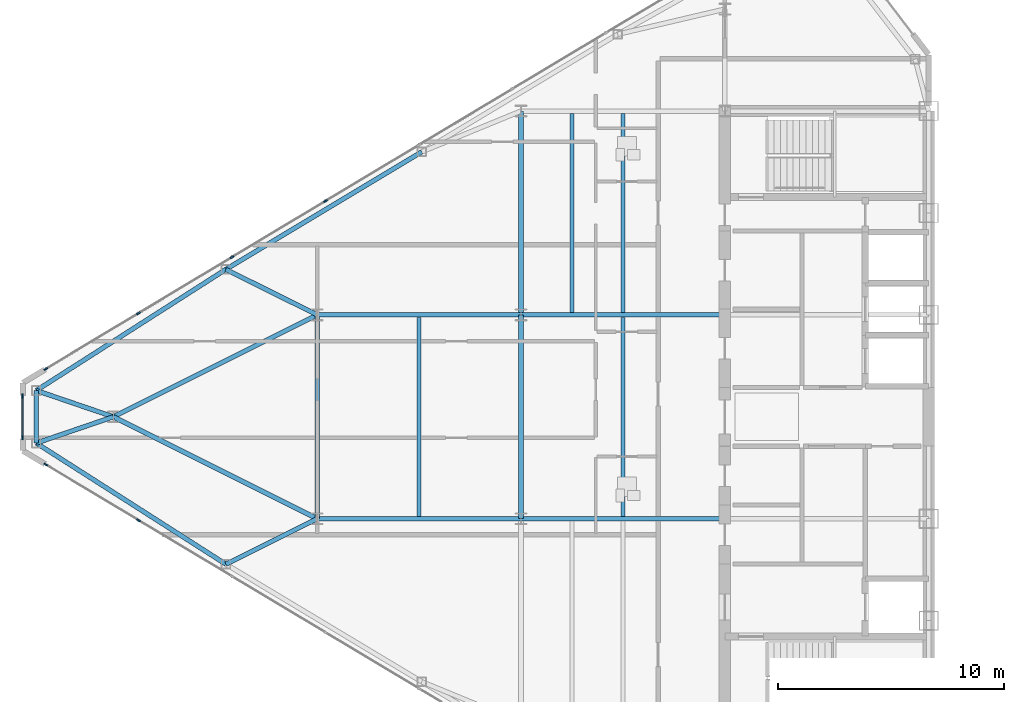
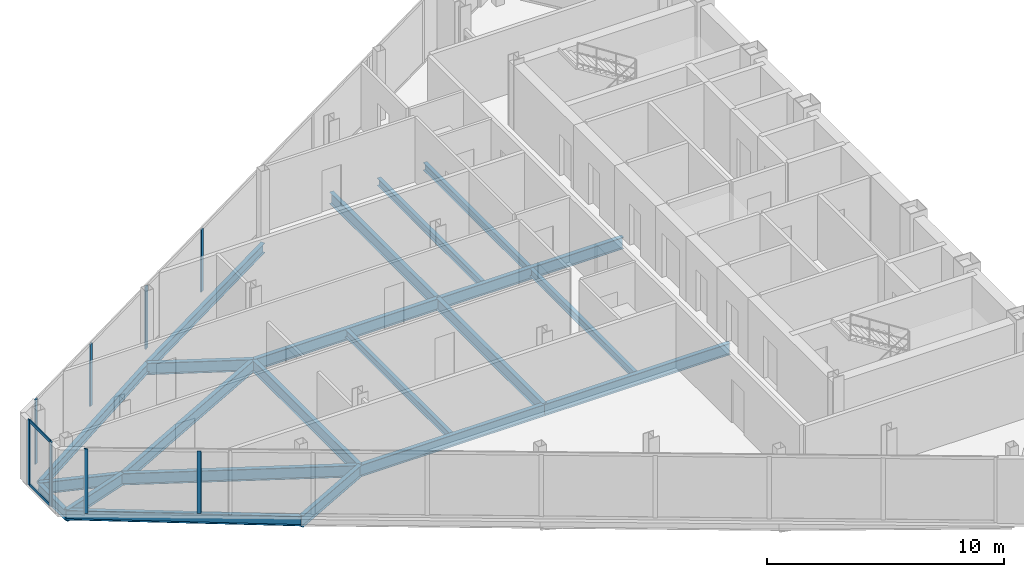
# One storey, part 7 of 26: 21 beams, 10 members, 3 elements without a shape of their own.
"""IFC4 building model written with IfcOpenShell, lengths in metres."""

import ifcopenshell
import ifcopenshell.guid

model = None  # the IFC model being written
_history = None  # IfcOwnerHistory: only IFC2X3 demands one
_inside = {}  # id of a spatial element -> (the spatial element, [elements in it])
_under = {}  # id of a project, library or spatial element -> (it, [spatial elements below it])
_declared = {}  # id of a project -> (the project, [libraries it declares])
_typed = {}  # id of a type object -> (the type object, [elements of that type])
_made_of = {}  # id of a material, layer set ... -> (it, [elements and type objects made of it])


def new_model(schema):
    """Start an empty IFC model of exactly this schema.

    Asked for "IFC4X3", IfcOpenShell would pick the latest addendum, in which some entities
    have other attributes; the version numbers below select the first issue.
    IFC2X3 requires an IfcOwnerHistory on every rooted entity: one is made here for all.
    """
    global model, _history
    if schema == "IFC4X3":
        model = ifcopenshell.file(schema_version=(4, 3, 0, 0))
    else:
        model = ifcopenshell.file(schema=schema)
    _inside.clear()
    _under.clear()
    _declared.clear()
    _typed.clear()
    _made_of.clear()
    _history = None
    if model.schema == "IFC2X3":
        org = make("IfcOrganization", Name="unknown")
        user = make(
            "IfcPersonAndOrganization",
            ThePerson=make("IfcPerson", FamilyName="unknown"),
            TheOrganization=org,
        )
        app = make(
            "IfcApplication",
            ApplicationDeveloper=org,
            Version="unknown",
            ApplicationFullName="unknown",
            ApplicationIdentifier="unknown",
        )
        _history = make(
            "IfcOwnerHistory",
            OwningUser=user,
            OwningApplication=app,
            ChangeAction="ADDED",
            CreationDate=0,
        )
    return model


def make(cls, **values):
    """One entity of the class cls with the attributes given. An attribute that is None is left unset."""
    return model.create_entity(
        cls, **{name: value for name, value in values.items() if value is not None}
    )


def rooted(cls, **values):
    """An entity with a GlobalId (a new one), such as an element, a storey or a relation."""
    return make(cls, GlobalId=ifcopenshell.guid.new(), OwnerHistory=_history, **values)


def si_unit(unit_type, name, prefix=None):
    """IfcSIUnit, for example si_unit("LENGTHUNIT", "METRE", prefix="MILLI")."""
    return make("IfcSIUnit", UnitType=unit_type, Prefix=prefix, Name=name)


def assignment(units):
    """IfcUnitAssignment: the units of a project."""
    return None if units is None else make("IfcUnitAssignment", Units=units)


def point(xyz):
    """IfcCartesianPoint."""
    return None if xyz is None else make("IfcCartesianPoint", Coordinates=xyz)


def direction(xyz):
    """IfcDirection."""
    return None if xyz is None else make("IfcDirection", DirectionRatios=xyz)


def frame(location, z_axis=None, x_axis=None):
    """IfcAxis2Placement3D, a coordinate frame: its origin and axes. An axis left out is left unset."""
    return make(
        "IfcAxis2Placement3D",
        Location=point(location),
        Axis=direction(z_axis),
        RefDirection=direction(x_axis),
    )


def frame_2d(location, x_axis=None):
    """IfcAxis2Placement2D, a coordinate frame in the plane: its origin and x axis."""
    return make(
        "IfcAxis2Placement2D", Location=point(location), RefDirection=direction(x_axis)
    )


def origin():
    """The frame at (0, 0, 0) with its axes left unset."""
    return frame((0.0, 0.0, 0.0))


def origin_2d():
    """The frame at (0, 0) in the plane with its x axis left unset."""
    return frame_2d((0.0, 0.0))


def place(relative_to, where):
    """IfcLocalPlacement: puts the frame where relative to a parent placement (None: the world)."""
    return make(
        "IfcLocalPlacement", PlacementRelTo=relative_to, RelativePlacement=where
    )


def context(
    kind, dimensions, precision=None, world=None, true_north=None, identifier=None
):
    """IfcGeometricRepresentationContext, for example the 3D "Model" context."""
    return make(
        "IfcGeometricRepresentationContext",
        ContextIdentifier=identifier,
        ContextType=kind,
        CoordinateSpaceDimension=dimensions,
        Precision=precision,
        WorldCoordinateSystem=world,
        TrueNorth=true_north,
    )


def subcontext(parent, identifier, kind, view, scale=None):
    """IfcGeometricRepresentationSubContext, for example "Body" below "Model"."""
    return make(
        "IfcGeometricRepresentationSubContext",
        ContextIdentifier=identifier,
        ContextType=kind,
        ParentContext=parent,
        TargetScale=scale,
        TargetView=view,
    )


def project(units=None, contexts=None):
    """IfcProject with its units and contexts."""
    return rooted(
        "IfcProject",
        Name="project",
        RepresentationContexts=contexts,
        UnitsInContext=assignment(units),
    )


def spatial(cls, under=None, at=None, **own):
    """A site, building, storey or space (cls), placed at a placement, below another one or the project."""
    s = rooted(cls, ObjectPlacement=at, **own)
    if under is not None:
        _under.setdefault(under.id(), (under, []))[1].append(s)
    return s


def profile(cls, at=None, kind="AREA", **sizes):
    """A parametric profile (cls). Its sizes go by their IFC names, for example OverallWidth=200.0."""
    return make(cls, ProfileType=kind, Position=at, **sizes)


def rectangle(**sizes):
    """IfcRectangleProfileDef."""
    return profile("IfcRectangleProfileDef", **sizes)


def i_section(**sizes):
    """IfcIShapeProfileDef."""
    return profile("IfcIShapeProfileDef", **sizes)


def extrude(swept, where, along, depth):
    """IfcExtrudedAreaSolid: the profile swept, set in the frame where, extruded along a direction by depth."""
    return make(
        "IfcExtrudedAreaSolid",
        SweptArea=swept,
        Position=where,
        ExtrudedDirection=direction(along),
        Depth=depth,
    )


def shape(context_of_items, identifier, shape_type, items):
    """IfcShapeRepresentation: the items that make up one representation, for example the "Body"."""
    return make(
        "IfcShapeRepresentation",
        ContextOfItems=context_of_items,
        RepresentationIdentifier=identifier,
        RepresentationType=shape_type,
        Items=items,
    )


def source(mapping_origin, context_of_items, identifier, shape_type, items):
    """IfcRepresentationMap: a shape defined once, which mapped items show again and again."""
    return make(
        "IfcRepresentationMap",
        MappingOrigin=mapping_origin,
        MappedRepresentation=shape(context_of_items, identifier, shape_type, items),
    )


def transform(
    local_origin,
    x_axis=None,
    y_axis=None,
    z_axis=None,
    scale=None,
    scale2=None,
    scale3=None,
    uniform=True,
):
    """IfcCartesianTransformationOperator3D, or its non-uniform kind. x_axis, y_axis, z_axis: its Axis1, 2, 3."""
    if uniform:
        return make(
            "IfcCartesianTransformationOperator3D",
            Axis1=direction(x_axis),
            Axis2=direction(y_axis),
            LocalOrigin=point(local_origin),
            Scale=scale,
            Axis3=direction(z_axis),
        )
    return make(
        "IfcCartesianTransformationOperator3DnonUniform",
        Axis1=direction(x_axis),
        Axis2=direction(y_axis),
        LocalOrigin=point(local_origin),
        Scale=scale,
        Axis3=direction(z_axis),
        Scale2=scale2,
        Scale3=scale3,
    )


def mapped(mapping_source, mapping_target):
    """IfcMappedItem: shows the shape of a source again, moved by a transform."""
    return make(
        "IfcMappedItem", MappingSource=mapping_source, MappingTarget=mapping_target
    )


def material(Name=None, Category=None):
    """IfcMaterial."""
    return make("IfcMaterial", Name=Name, Category=Category)


def layer(
    of_material, thickness, ventilated=None, Name=None, Category=None, Priority=None
):
    """IfcMaterialLayer: one layer of a wall or slab, of a material (None: an air gap)."""
    return make(
        "IfcMaterialLayer",
        Material=of_material,
        LayerThickness=thickness,
        IsVentilated=ventilated,
        Name=Name,
        Category=Category,
        Priority=Priority,
    )


def layer_set(layers, Name=None):
    """IfcMaterialLayerSet."""
    return make("IfcMaterialLayerSet", MaterialLayers=layers, LayerSetName=Name)


def material_profile(
    of_material, cross_section, Name=None, Category=None, Priority=None
):
    """IfcMaterialProfile: a cross section and its material."""
    return make(
        "IfcMaterialProfile",
        Name=Name,
        Material=of_material,
        Profile=cross_section,
        Priority=Priority,
        Category=Category,
    )


def profile_set(profiles, Name=None, composite=None):
    """IfcMaterialProfileSet."""
    return make(
        "IfcMaterialProfileSet",
        Name=Name,
        MaterialProfiles=profiles,
        CompositeProfile=composite,
    )


def made_of(thing, what):
    """Note that an element or type object is made of a material, layer set ...; save() writes the relation."""
    if what is not None:
        _made_of.setdefault(what.id(), (what, []))[1].append(thing)
    return thing


def type_object(cls, material=None, **own):
    """A type object (cls), such as IfcWallType, which elements share."""
    return made_of(rooted(cls, **own), material)


def type_shapes(of_type, sources):
    """Give a type object the sources (RepresentationMaps) that its elements show as mapped items."""
    of_type.RepresentationMaps = sources


def element(
    cls,
    number,
    at=None,
    inside=None,
    cuts=None,
    type_object=None,
    material=None,
    context=None,
    identifier="Body",
    shape_type=None,
    held_by="IfcProductDefinitionShape",
    body=None,
    shapes=None,
    **own,
):
    """One element of the class cls, such as IfcWall. Its Tag is "e" and its number.

    at: its placement. inside: the storey or other place that contains it. cuts: it is an
    opening in that element (IfcRelVoidsElement). A single representation is given by context,
    identifier, shape_type and body (its items); several are given by shapes. held_by: the class
    of the entity that holds the representations. save() writes the other relations.
    """
    e = rooted(cls, Tag="e%d" % number, ObjectPlacement=at, **own)
    if body is not None:
        shapes = [shape(context, identifier, shape_type, body)]
    if shapes is not None:
        e.Representation = make(held_by, Representations=shapes)
    if inside is not None:
        _inside.setdefault(inside.id(), (inside, []))[1].append(e)
    if cuts is not None:
        rooted(
            "IfcRelVoidsElement", RelatingBuildingElement=cuts, RelatedOpeningElement=e
        )
    if type_object is not None:
        _typed.setdefault(type_object.id(), (type_object, []))[1].append(e)
    return made_of(e, material)


def aggregate(whole, parts):
    """IfcRelAggregates: a whole, such as a stair, and the parts it consists of."""
    return rooted("IfcRelAggregates", RelatingObject=whole, RelatedObjects=parts)


def save(model, path):
    """Write the relations noted so far, then the file.

    IfcRelAggregates (storeys below a building ...), IfcRelContainedInSpatialStructure (elements
    in a storey), IfcRelDefinesByType, IfcRelAssociatesMaterial and IfcRelDeclares: one each for
    every whole, place, type object, material and project.
    """
    for whole, parts in _under.values():
        aggregate(whole, parts)
    for where, things in _inside.values():
        rooted(
            "IfcRelContainedInSpatialStructure",
            RelatedElements=things,
            RelatingStructure=where,
        )
    for kind, things in _typed.values():
        rooted("IfcRelDefinesByType", RelatedObjects=things, RelatingType=kind)
    for what, things in _made_of.values():
        rooted("IfcRelAssociatesMaterial", RelatedObjects=things, RelatingMaterial=what)
    for by, libraries in _declared.values():
        rooted("IfcRelDeclares", RelatingContext=by, RelatedDefinitions=libraries)
    model.write(path)


model = new_model("IFC4")

# Units and contexts
model_context = context("Model", 3, precision=1e-05, world=origin(), true_north=direction((0.0, 1.0)))
body_context = subcontext(model_context, "Body", "Model", "MODEL_VIEW")
ifc_project = project(units=[si_unit("LENGTHUNIT", "METRE"), si_unit("AREAUNIT", "SQUARE_METRE"), si_unit("VOLUMEUNIT", "CUBIC_METRE"), si_unit("PLANEANGLEUNIT", "RADIAN"), si_unit("MASSUNIT", "GRAM", prefix="KILO")], contexts=[model_context])

# Site, building, storey
site_placement = place(None, origin())
site = spatial("IfcSite", under=ifc_project, at=site_placement, CompositionType="ELEMENT")
building_placement = place(site_placement, origin())
building = spatial("IfcBuilding", under=site, at=building_placement, Name="Seokmaru Belvedere", CompositionType="ELEMENT")
storey_placement = place(building_placement, frame((0.0, 0.0, 221.10009765625)))
storey = spatial("IfcBuildingStorey", under=building, at=storey_placement, Name="L59", CompositionType="ELEMENT", Elevation=221.10009765625)

# Beams
ifc_material_1 = material(Name="Steel SM355 (355 MPa)", Category="steel")
ifc_material_profile_1 = material_profile(ifc_material_1, i_section(OverallWidth=0.199951171875, OverallDepth=0.60009765625, WebThickness=0.010986328125, FlangeThickness=0.01708984375, at=origin_2d()), Name="H-600x200x11x17")
ifc_profile_set_1 = profile_set([ifc_material_profile_1], Name="Steel SM355 (355 MPa)")
beam_type_1 = type_object("IfcBeamType", Name="Primary Floor Girder H-600", PredefinedType="BEAM", material=ifc_profile_set_1)
shared_shape_1 = source(origin(), body_context, "Body", "SweptSolid", [
    extrude(i_section(OverallWidth=0.199951171875, OverallDepth=0.60009765625, WebThickness=0.010986328125, FlangeThickness=0.01708984375, at=origin_2d()), origin(), (0.0, 0.0, 1.0), 9.0),
])
for number, where, z_axis, x_axis, name in (
    (1, (-45.5, -4.5, -0.52001953125), (0.0, 1.0, 0.0), (-1.0, 0.0, 0.0), "L59 W Interior Grid Girder 2"),
    (2, (-45.5, 4.5, -0.52001953125), (0.0, 1.0, 0.0), (-1.0, 0.0, 0.0), "L59 W Interior Grid Girder 3"),
    (3, (-45.5, -4.5, -0.52001953125), (1.0, 0.0, 0.0), (0.0, 1.0, 0.0), "L59 W Wing Primary Girder 2"),
    (4, (-45.5, 4.5, -0.52001953125), (1.0, 0.0, 0.0), (0.0, 1.0, 0.0), "L59 W Wing Primary Girder 3"),
    (5, (-54.5, -4.5, -0.52001953125), (1.0, 0.0, 0.0), (0.0, 1.0, 0.0), "L59 W Outer Wing Girder 1"),
    (6, (-54.5, 4.5, -0.52001953125), (1.0, 0.0, 0.0), (0.0, 1.0, 0.0), "L59 W Outer Wing Girder 2"),
    (7, (-54.5, -4.5, -0.52001953125), (0.0, 1.0, 0.0), (-1.0, 0.0, 0.0), "L59 W Apex Frame Girder"),
):
    element("IfcBeam", number, at=place(storey_placement, frame(where, z_axis=z_axis, x_axis=x_axis)), inside=storey, type_object=beam_type_1, Name=name, PredefinedType="BEAM", context=body_context, shape_type="MappedRepresentation", body=[
        mapped(shared_shape_1, transform((0.0, 0.0, 0.0), scale=1.0)),
    ])
shared_shape_2 = source(origin(), body_context, "Body", "SweptSolid", [
    extrude(i_section(OverallWidth=0.199951171875, OverallDepth=0.60009765625, WebThickness=0.010986328125, FlangeThickness=0.01708984375, at=origin_2d()), origin(), (0.0, 0.0, 1.0), 10.062255859375),
])
for number, where, z_axis, x_axis, name in (
    (8, (-54.5, -4.5, -0.52001953125), (-0.894427191, 0.4472135955, 0.0), (-0.4472135955, -0.894427191, 0.0), "L59 W Apex Converging Girder 1"),
    (9, (-54.5, 4.5, -0.52001953125), (-0.894427191, -0.4472135955, 0.0), (0.4472135955, -0.894427191, 0.0), "L59 W Apex Converging Girder 2"),
):
    element("IfcBeam", number, at=place(storey_placement, frame(where, z_axis=z_axis, x_axis=x_axis)), inside=storey, type_object=beam_type_1, Name=name, PredefinedType="BEAM", context=body_context, shape_type="MappedRepresentation", body=[
        mapped(shared_shape_2, transform((0.0, 0.0, 0.0), scale=1.0)),
    ])
ifc_material_profile_2 = material_profile(ifc_material_1, i_section(OverallWidth=0.18505859375, OverallDepth=0.389892578125, WebThickness=0.008056640625, FlangeThickness=0.011962890625, at=origin_2d()), Name="H-390x185x8x12")
ifc_profile_set_2 = profile_set([ifc_material_profile_2], Name="Steel SM355 (355 MPa)")
beam_type_2 = type_object("IfcBeamType", Name="Secondary Floor Joist H-350", PredefinedType="JOIST", material=ifc_profile_set_2)
shared_shape_3 = source(origin(), body_context, "Body", "SweptSolid", [
    extrude(i_section(OverallWidth=0.18505859375, OverallDepth=0.389892578125, WebThickness=0.008056640625, FlangeThickness=0.011962890625, at=origin_2d()), origin(), (0.0, 0.0, 1.0), 8.7900390625),
])
type_shapes(beam_type_2, [shared_shape_3])
for number, where, z_axis, x_axis, name in (
    (10, (-43.25, 4.60498046875, -0.4150390625), (0.0, 1.0, 0.0), (-1.0, 0.0, 0.0), "L59 W Wing Inner Secondary Joist 2"),
    (11, (-41.0, -4.39501953125, -0.4150390625), (0.0, 1.0, 0.0), (-1.0, 0.0, 0.0), "L59 W Secondary Floor Joist 2"),
    (12, (-41.0, 4.60498046875, -0.4150390625), (0.0, 1.0, 0.0), (-1.0, 0.0, 0.0), "L59 W Secondary Floor Joist 3"),
    (13, (-50.0, -4.39501953125, -0.4150390625), (0.0, 1.0, 0.0), (-1.0, 0.0, 0.0), "L59 W Outer Bay Secondary Joist"),
):
    element("IfcBeam", number, at=place(storey_placement, frame(where, z_axis=z_axis, x_axis=x_axis)), inside=storey, type_object=beam_type_2, Name=name, PredefinedType="JOIST", context=body_context, shape_type="MappedRepresentation", body=[
        mapped(shared_shape_3, transform((0.0, 0.0, 0.0), scale=1.0)),
    ])
ifc_material_profile_3 = material_profile(ifc_material_1, i_section(OverallWidth=0.199951171875, OverallDepth=0.5, WebThickness=0.010009765625, FlangeThickness=0.01611328125, at=origin_2d()), Name="H-500x200x10x16")
ifc_profile_set_3 = profile_set([ifc_material_profile_3], Name="Steel SM355 (355 MPa)")
beam_type_3 = type_object("IfcBeamType", Name="Perimeter Spandrel Beam H-500", PredefinedType="SPANDREL", material=ifc_profile_set_3)
shared_shape_4 = source(origin(), body_context, "Body", "SweptSolid", [
    extrude(i_section(OverallWidth=0.199951171875, OverallDepth=0.5, WebThickness=0.010009765625, FlangeThickness=0.01611328125, at=origin_2d()), origin(), (0.0, 0.0, 1.0), 10.087646484375),
])
beam_1_placement = place(storey_placement, frame((-49.8798828125, 11.698974609375, -0.47021484375), z_axis=(-0.857488654804, -0.514502873542, 0.0), x_axis=(0.514502873542, -0.857488654804, 0.0)))
element("IfcBeam", 14, at=beam_1_placement, inside=storey, type_object=beam_type_3, Name="L59 W Faceted Flank Spandrel N-3", PredefinedType="SPANDREL", context=body_context, shape_type="MappedRepresentation", body=[
    mapped(shared_shape_4, transform((0.0, 0.0, 0.0), scale=1.0)),
])
shared_shape_5 = source(origin(), body_context, "Body", "SweptSolid", [
    extrude(i_section(OverallWidth=0.199951171875, OverallDepth=0.5, WebThickness=0.010009765625, FlangeThickness=0.01611328125, at=origin_2d()), origin(), (0.0, 0.0, 1.0), 9.932861328125),
])
for number, where, z_axis, x_axis, name in (
    (15, (-58.530029296875, -6.5087890625, -0.47021484375), (-0.842651960357, 0.538458609093, 0.0), (-0.538458609093, -0.842651960357, 0.0), "L59 W Faceted Flank Spandrel S-4"),
    (16, (-58.530029296875, 6.5087890625, -0.47021484375), (-0.842651960357, -0.538458609093, 0.0), (0.538458609093, -0.842651960357, 0.0), "L59 W Faceted Flank Spandrel N-4"),
):
    element("IfcBeam", number, at=place(storey_placement, frame(where, z_axis=z_axis, x_axis=x_axis)), inside=storey, type_object=beam_type_3, Name=name, PredefinedType="SPANDREL", context=body_context, shape_type="MappedRepresentation", body=[
        mapped(shared_shape_5, transform((0.0, 0.0, 0.0), scale=1.0)),
    ])
shared_shape_6 = source(origin(), body_context, "Body", "SweptSolid", [
    extrude(i_section(OverallWidth=0.199951171875, OverallDepth=0.5, WebThickness=0.010009765625, FlangeThickness=0.01611328125, at=origin_2d()), origin(), (0.0, 0.0, 1.0), 2.32080078125),
])
type_shapes(beam_type_3, [shared_shape_4, shared_shape_5, shared_shape_6])
beam_2_placement = place(storey_placement, frame((-66.89990234375, -1.160400390625, -0.47021484375), z_axis=(0.0, 1.0, 0.0), x_axis=(-1.0, 0.0, 0.0)))
element("IfcBeam", 17, at=beam_2_placement, inside=storey, type_object=beam_type_3, Name="L59 W Faceted Apex Spandrel", PredefinedType="SPANDREL", context=body_context, shape_type="MappedRepresentation", body=[
    mapped(shared_shape_6, transform((0.0, 0.0, 0.0), scale=1.0)),
])
shared_shape_7 = source(origin(), body_context, "Body", "SweptSolid", [
    extrude(i_section(OverallWidth=0.199951171875, OverallDepth=0.60009765625, WebThickness=0.010986328125, FlangeThickness=0.01708984375, at=origin_2d()), origin(), (0.0, 0.0, 1.0), 4.5029296875),
])
for number, where, z_axis, x_axis, name in (
    (18, (-58.530029296875, -6.5087890625, -0.52001953125), (0.894979532585, 0.446107202648, 0.0), (-0.446107202648, 0.894979532585, 0.0), "L59 W Flank Radial Floor Girder S-3"),
    (19, (-58.530029296875, 6.5087890625, -0.52001953125), (0.894979532585, -0.446107202648, 0.0), (0.446107202648, 0.894979532585, 0.0), "L59 W Flank Radial Floor Girder N-3"),
):
    element("IfcBeam", number, at=place(storey_placement, frame(where, z_axis=z_axis, x_axis=x_axis)), inside=storey, type_object=beam_type_1, Name=name, PredefinedType="BEAM", context=body_context, shape_type="MappedRepresentation", body=[
        mapped(shared_shape_7, transform((0.0, 0.0, 0.0), scale=1.0)),
    ])
shared_shape_8 = source(origin(), body_context, "Body", "SweptSolid", [
    extrude(i_section(OverallWidth=0.199951171875, OverallDepth=0.60009765625, WebThickness=0.010986328125, FlangeThickness=0.01708984375, at=origin_2d()), origin(), (0.0, 0.0, 1.0), 3.592529296875),
])
type_shapes(beam_type_1, [shared_shape_1, shared_shape_2, shared_shape_7, shared_shape_8])
for number, where, z_axis, x_axis, name in (
    (20, (-66.89990234375, -1.160400390625, -0.52001953125), (0.946395973048, 0.323008764893, 0.0), (-0.323008764893, 0.946395973048, 0.0), "L59 W Apex Radial Floor Girder 1"),
    (21, (-66.89990234375, 1.160400390625, -0.52001953125), (0.946395973048, -0.323008764893, 0.0), (0.323008764893, 0.946395973048, 0.0), "L59 W Apex Radial Floor Girder 2"),
):
    element("IfcBeam", number, at=place(storey_placement, frame(where, z_axis=z_axis, x_axis=x_axis)), inside=storey, type_object=beam_type_1, Name=name, PredefinedType="BEAM", context=body_context, shape_type="MappedRepresentation", body=[
        mapped(shared_shape_8, transform((0.0, 0.0, 0.0), scale=1.0)),
    ])

# Curtain wall, members
ifc_material_2 = material(Name="Bronze Triple Insulating Glass", Category="glass")
ifc_layer = layer(ifc_material_2, 0.179931640625)
ifc_layer_set = layer_set([ifc_layer], Name="Bronze Triple Insulating Glass")
curtain_wall_type = type_object("IfcCurtainWallType", Name="High-Rise Wind-Corner Curtain Wall System CW-5", PredefinedType="NOTDEFINED", material=ifc_layer_set)
curtain_wall_1_placement = place(storey_placement, origin())
curtain_wall_1 = element("IfcCurtainWall", 22, at=curtain_wall_1_placement, inside=storey, type_object=curtain_wall_type, Name="L59 Curtain Wall WF3", PredefinedType="NOTDEFINED")
ifc_material_3 = material(Name="Anodised Bronze Aluminium", Category="aluminium")
ifc_material_profile_4 = material_profile(ifc_material_3, rectangle(XDim=0.06494140625, YDim=0.179931640625, at=origin_2d()), Name="CW-M-65x180")
ifc_profile_set_4 = profile_set([ifc_material_profile_4], Name="Anodised Bronze Aluminium")
member_type_1 = type_object("IfcMemberType", Name="Bronze Unitised Mullion 65x180", PredefinedType="MULLION", material=ifc_profile_set_4)
shared_shape_9 = source(origin(), body_context, "Body", "SweptSolid", [
    extrude(rectangle(XDim=0.06494140625, YDim=0.179931640625, at=origin_2d()), origin(), (0.0, 0.0, 1.0), 3.2099609375),
])
member_1_placement = place(storey_placement, frame((-54.12841796875, 9.52294921875, 0.06494140625), z_axis=(0.0, 0.0, 1.0), x_axis=(0.514494909364, -0.85749343335, 0.0)))
member_1 = element("IfcMember", 23, at=member_1_placement, type_object=member_type_1, Name="CW:L59:WF3 Mullion 6", PredefinedType="MULLION", context=body_context, shape_type="MappedRepresentation", body=[
    mapped(shared_shape_9, transform((0.0, 0.0, 0.0), scale=1.0)),
])
member_2_placement = place(storey_placement, frame((-58.257080078125, 7.0458984375, 0.06494140625), z_axis=(0.0, 0.0, 1.0), x_axis=(0.514494909364, -0.85749343335, 0.0)))
member_2 = element("IfcMember", 24, at=member_2_placement, type_object=member_type_1, Name="CW:L59:WF3 Mullion 7", PredefinedType="MULLION", context=body_context, shape_type="MappedRepresentation", body=[
    mapped(shared_shape_9, transform((0.0, 0.0, 0.0), scale=1.0)),
])
member_3_placement = place(storey_placement, frame((-62.385498046875, 4.56884765625, 0.06494140625), z_axis=(0.0, 0.0, 1.0), x_axis=(0.514494909364, -0.85749343335, 0.0)))
member_3 = element("IfcMember", 25, at=member_3_placement, type_object=member_type_1, Name="CW:L59:WF3 Mullion 8", PredefinedType="MULLION", context=body_context, shape_type="MappedRepresentation", body=[
    mapped(shared_shape_9, transform((0.0, 0.0, 0.0), scale=1.0)),
])

# Curtain wall, member
curtain_wall_2_placement = place(storey_placement, origin())
curtain_wall_2 = element("IfcCurtainWall", 26, at=curtain_wall_2_placement, inside=storey, type_object=curtain_wall_type, Name="L59 Curtain Wall WF5", PredefinedType="NOTDEFINED")
member_4_placement = place(storey_placement, frame((-62.385498046875, -4.56884765625, 0.06494140625), z_axis=(0.0, 0.0, 1.0), x_axis=(0.514494909364, 0.85749343335, 0.0)))
member_4 = element("IfcMember", 27, at=member_4_placement, type_object=member_type_1, Name="CW:L59:WF5 Mullion 2", PredefinedType="MULLION", context=body_context, shape_type="MappedRepresentation", body=[
    mapped(shared_shape_9, transform((0.0, 0.0, 0.0), scale=1.0)),
])

# Curtain wall, members
curtain_wall_3_placement = place(storey_placement, origin())
curtain_wall_3 = element("IfcCurtainWall", 28, at=curtain_wall_3_placement, inside=storey, type_object=curtain_wall_type, Name="L59 Curtain Wall WF4", PredefinedType="NOTDEFINED")
ifc_material_profile_5 = material_profile(ifc_material_3, rectangle(XDim=0.06494140625, YDim=0.14990234375, at=origin_2d()), Name="CW-T-65x150")
ifc_profile_set_5 = profile_set([ifc_material_profile_5], Name="Anodised Bronze Aluminium")
member_type_2 = type_object("IfcMemberType", Name="Bronze Unitised Transom 65x150", PredefinedType="USERDEFINED", material=ifc_profile_set_5)
shared_shape_10 = source(origin(), body_context, "Body", "SweptSolid", [
    extrude(rectangle(XDim=0.06494140625, YDim=0.14990234375, at=origin_2d()), origin(), (0.0, 0.0, 1.0), 1.77001953125),
])
type_shapes(member_type_2, [shared_shape_10])
member_5_placement = place(storey_placement, frame((-67.5, 0.885009765625, 0.032470703125), z_axis=(0.0, -1.0, 0.0), x_axis=(1.0, 0.0, 0.0)))
member_5 = element("IfcMember", 29, at=member_5_placement, type_object=member_type_2, Name="CW:L59:WF4 Continuous Transom 1", ObjectType="TRANSOM", PredefinedType="USERDEFINED", context=body_context, shape_type="MappedRepresentation", body=[
    mapped(shared_shape_10, transform((0.0, 0.0, 0.0), scale=1.0)),
])
member_6_placement = place(storey_placement, frame((-67.5, 0.885009765625, 3.307373046875), z_axis=(0.0, -1.0, 0.0), x_axis=(1.0, 0.0, 0.0)))
member_6 = element("IfcMember", 30, at=member_6_placement, type_object=member_type_2, Name="CW:L59:WF4 Continuous Transom 2", ObjectType="TRANSOM", PredefinedType="USERDEFINED", context=body_context, shape_type="MappedRepresentation", body=[
    mapped(shared_shape_10, transform((0.0, 0.0, 0.0), scale=1.0)),
])

# Member
shared_shape_11 = source(origin(), body_context, "Body", "SweptSolid", [
    extrude(rectangle(XDim=0.06494140625, YDim=0.179931640625, at=origin_2d()), origin(), (0.0, 0.0, 1.0), 3.33984375),
])
type_shapes(member_type_1, [shared_shape_9, shared_shape_11])
member_7_placement = place(storey_placement, frame((-66.486083984375, 2.1083984375, 0.0), z_axis=(0.0, 0.0, 1.0), x_axis=(0.514494909364, -0.85749343335, 0.0)))
member_7 = element("IfcMember", 31, at=member_7_placement, type_object=member_type_1, Name="CW:L59:WF3 Mullion 9", PredefinedType="MULLION", context=body_context, shape_type="MappedRepresentation", body=[
    mapped(shared_shape_11, transform((0.0, 0.0, 0.0), scale=1.0)),
])

aggregate(curtain_wall_1, [member_1, member_2, member_3, member_7])

member_8_placement = place(storey_placement, frame((-67.5, 0.91748046875, 0.0), z_axis=(0.0, 0.0, 1.0), x_axis=(1.0, 0.0, 0.0)))
member_8 = element("IfcMember", 32, at=member_8_placement, type_object=member_type_1, Name="CW:L59:WF4 Mullion 1", PredefinedType="MULLION", context=body_context, shape_type="MappedRepresentation", body=[
    mapped(shared_shape_11, transform((0.0, 0.0, 0.0), scale=1.0)),
])

member_9_placement = place(storey_placement, frame((-67.5, -0.91748046875, 0.0), z_axis=(0.0, 0.0, 1.0), x_axis=(1.0, 0.0, 0.0)))
member_9 = element("IfcMember", 33, at=member_9_placement, type_object=member_type_1, Name="CW:L59:WF4 Mullion 2", PredefinedType="MULLION", context=body_context, shape_type="MappedRepresentation", body=[
    mapped(shared_shape_11, transform((0.0, 0.0, 0.0), scale=1.0)),
])

aggregate(curtain_wall_3, [member_8, member_9, member_5, member_6])

member_10_placement = place(storey_placement, frame((-66.486083984375, -2.1083984375, 0.0), z_axis=(0.0, 0.0, 1.0), x_axis=(0.514494909364, 0.85749343335, 0.0)))
member_10 = element("IfcMember", 34, at=member_10_placement, type_object=member_type_1, Name="CW:L59:WF5 Mullion 1", PredefinedType="MULLION", context=body_context, shape_type="MappedRepresentation", body=[
    mapped(shared_shape_11, transform((0.0, 0.0, 0.0), scale=1.0)),
])

aggregate(curtain_wall_2, [member_10, member_4])

save(model, "model.ifc")
